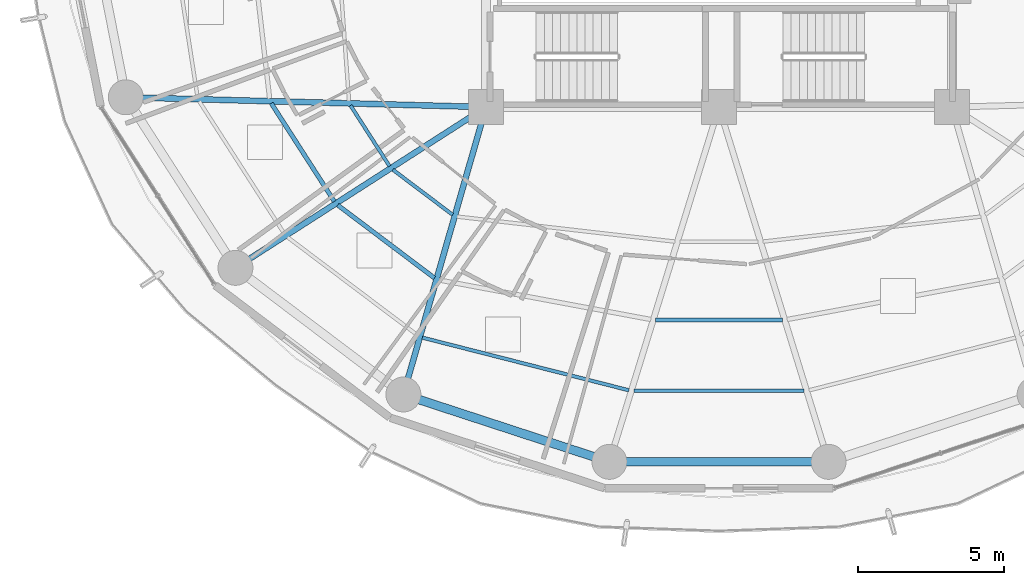
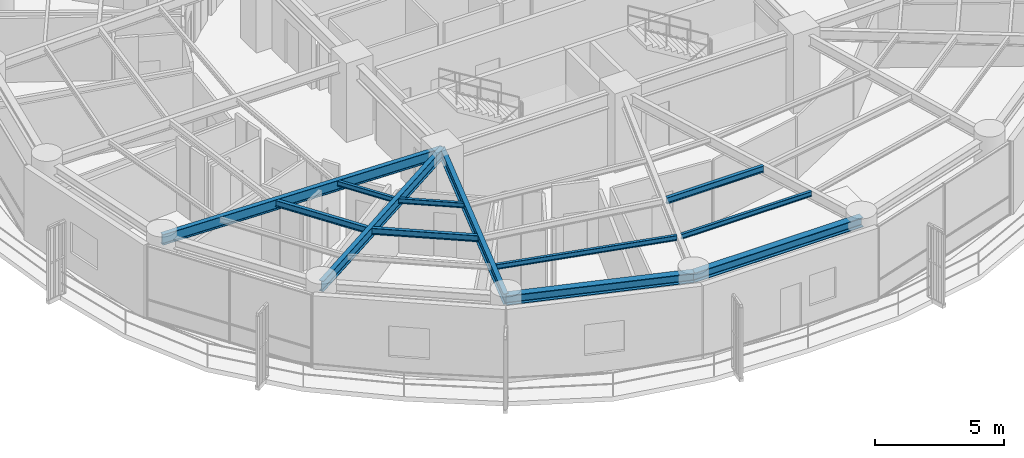
# One storey, part 3 of 29: 12 beams.
"""IFC4 building model written with IfcOpenShell, lengths in metres."""

from ifc_helpers import new_model, si_unit, direction, frame, origin, origin_2d, place, context, subcontext, project, spatial, i_section, extrude, material, material_profile, profile_set, type_object, element, save


model = new_model("IFC4")

# Units and contexts
model_context = context("Model", 3, precision=1e-05, world=origin(), true_north=direction((0.0, 1.0)))
body_context = subcontext(model_context, "Body", "Model", "MODEL_VIEW")
ifc_project = project(units=[si_unit("LENGTHUNIT", "METRE"), si_unit("AREAUNIT", "SQUARE_METRE"), si_unit("VOLUMEUNIT", "CUBIC_METRE"), si_unit("PLANEANGLEUNIT", "RADIAN"), si_unit("MASSUNIT", "GRAM", prefix="KILO")], contexts=[model_context])

# Site, building, storey
site_placement = place(None, origin())
site = spatial("IfcSite", under=ifc_project, at=site_placement, CompositionType="ELEMENT")
building_placement = place(site_placement, origin())
building = spatial("IfcBuilding", under=site, at=building_placement, Name="Kelanora Arch Commons", CompositionType="ELEMENT")
storey_placement = place(building_placement, frame((0.0, 0.0, 135.60009765625)))
storey = spatial("IfcBuildingStorey", under=building, at=storey_placement, Name="L34", CompositionType="ELEMENT", Elevation=135.60009765625)

# Beams
ifc_material = material(Name="Steel S355", Category="steel")
ifc_material_profile_1 = material_profile(ifc_material, i_section(OverallWidth=0.14990234375, OverallDepth=0.300048828125, WebThickness=0.007080078125, FlangeThickness=0.0107421875, FilletRadius=0.014892578125, at=origin_2d()), Name="IPE300")
ifc_profile_set_1 = profile_set([ifc_material_profile_1], Name="Steel S355")
beam_type_1 = type_object("IfcBeamType", Name="BM-JST-01", PredefinedType="JOIST", material=ifc_profile_set_1)
beam_1_placement = place(storey_placement, frame((58.622314453125, 51.130859375, 3.33984375), z_axis=(0.540594434398, -0.841283339606, 0.0), x_axis=(0.841283339606, 0.540594434398, 0.0)))
element("IfcBeam", 1, at=beam_1_placement, inside=storey, type_object=beam_type_1, Name="Secondary Chord Joist BJB-20 L34", PredefinedType="JOIST", context=body_context, shape_type="SweptSolid", body=[
    extrude(i_section(OverallWidth=0.14990234375, OverallDepth=0.300048828125, WebThickness=0.007080078125, FlangeThickness=0.0107421875, FilletRadius=0.014892578125, at=origin_2d()), origin(), (0.0, 0.0, 1.0), 4.008544921875),
])
beam_2_placement = place(storey_placement, frame((60.9033203125, 47.635986328125, 3.33984375), z_axis=(0.798463547891, -0.602043156833, 0.0), x_axis=(0.602043156833, 0.798463547891, 0.0)))
element("IfcBeam", 2, at=beam_2_placement, inside=storey, type_object=beam_type_1, Name="Secondary Chord Joist BJB-22 L34", PredefinedType="JOIST", context=body_context, shape_type="SweptSolid", body=[
    extrude(i_section(OverallWidth=0.14990234375, OverallDepth=0.300048828125, WebThickness=0.007080078125, FlangeThickness=0.0107421875, FilletRadius=0.014892578125, at=origin_2d()), origin(), (0.0, 0.0, 1.0), 4.163818359375),
])
beam_3_placement = place(storey_placement, frame((71.826171875, 43.689453125, 3.33984375), z_axis=(1.0, 0.0, 0.0), x_axis=(0.0, 1.0, 0.0)))
element("IfcBeam", 3, at=beam_3_placement, inside=storey, type_object=beam_type_1, Name="Secondary Chord Joist BJB-26 L34", PredefinedType="JOIST", context=body_context, shape_type="SweptSolid", body=[
    extrude(i_section(OverallWidth=0.14990234375, OverallDepth=0.300048828125, WebThickness=0.007080078125, FlangeThickness=0.0107421875, FilletRadius=0.014892578125, at=origin_2d()), origin(), (0.0, 0.0, 1.0), 4.34765625),
])
ifc_material_profile_2 = material_profile(ifc_material, i_section(OverallWidth=0.1201171875, OverallDepth=0.239990234375, WebThickness=0.006103515625, FlangeThickness=0.009765625, FilletRadius=0.014892578125, at=origin_2d()), Name="IPE240")
ifc_profile_set_2 = profile_set([ifc_material_profile_2], Name="Steel S355")
beam_type_2 = type_object("IfcBeamType", Name="BM-JST-02", PredefinedType="JOIST", material=ifc_profile_set_2)
beam_4_placement = place(storey_placement, frame((61.344482421875, 51.056640625, 3.369873046875), z_axis=(0.540583174025, -0.841290575224, 0.0), x_axis=(0.841290575224, 0.540583174025, 0.0)))
element("IfcBeam", 4, at=beam_4_placement, inside=storey, type_object=beam_type_2, Name="Secondary Chord Joist BJA-20 L34", PredefinedType="JOIST", context=body_context, shape_type="SweptSolid", body=[
    extrude(i_section(OverallWidth=0.1201171875, OverallDepth=0.239990234375, WebThickness=0.006103515625, FlangeThickness=0.009765625, FilletRadius=0.014892578125, at=origin_2d()), origin(), (0.0, 0.0, 1.0), 2.476318359375),
])
beam_5_placement = place(storey_placement, frame((62.796875, 48.8505859375, 3.369873046875), z_axis=(0.798484118859, -0.602015873487, 0.0), x_axis=(0.602015873487, 0.798484118859, 0.0)))
element("IfcBeam", 5, at=beam_5_placement, inside=storey, type_object=beam_type_2, Name="Secondary Chord Joist BJA-22 L34", PredefinedType="JOIST", context=body_context, shape_type="SweptSolid", body=[
    extrude(i_section(OverallWidth=0.1201171875, OverallDepth=0.239990234375, WebThickness=0.006103515625, FlangeThickness=0.009765625, FilletRadius=0.014892578125, at=origin_2d()), origin(), (0.0, 0.0, 1.0), 2.57470703125),
])
beam_6_placement = place(storey_placement, frame((63.810302734375, 43.082763671875, 3.369873046875), z_axis=(0.96900232943, -0.247051584815, 0.0), x_axis=(0.247051584815, 0.96900232943, 0.0)))
element("IfcBeam", 6, at=beam_6_placement, inside=storey, type_object=beam_type_2, Name="Secondary Chord Joist BJC-24 L34", PredefinedType="JOIST", context=body_context, shape_type="SweptSolid", body=[
    extrude(i_section(OverallWidth=0.1201171875, OverallDepth=0.239990234375, WebThickness=0.006103515625, FlangeThickness=0.009765625, FilletRadius=0.014892578125, at=origin_2d()), origin(), (0.0, 0.0, 1.0), 7.32275390625),
])
beam_7_placement = place(storey_placement, frame((71.0732421875, 41.252685546875, 3.369873046875), z_axis=(1.0, 0.0, 0.0), x_axis=(0.0, 1.0, 0.0)))
element("IfcBeam", 7, at=beam_7_placement, inside=storey, type_object=beam_type_2, Name="Secondary Chord Joist BJC-26 L34", PredefinedType="JOIST", context=body_context, shape_type="SweptSolid", body=[
    extrude(i_section(OverallWidth=0.1201171875, OverallDepth=0.239990234375, WebThickness=0.006103515625, FlangeThickness=0.009765625, FilletRadius=0.014892578125, at=origin_2d()), origin(), (0.0, 0.0, 1.0), 5.853515625),
])
ifc_material_profile_3 = material_profile(ifc_material, i_section(OverallWidth=0.199951171875, OverallDepth=0.5, WebThickness=0.01025390625, FlangeThickness=0.01611328125, FilletRadius=0.02099609375, at=origin_2d()), Name="IPE500")
ifc_profile_set_3 = profile_set([ifc_material_profile_3], Name="Steel S355")
beam_type_3 = type_object("IfcBeamType", Name="BM-RAD-Z3", PredefinedType="BEAM", material=ifc_profile_set_3)
beam_8_placement = place(storey_placement, frame((66.0, 51.0, 3.239990234375), z_axis=(-0.999628374924, 0.027260081577, 0.0), x_axis=(-0.027260081577, -0.999628374924, 0.0)))
element("IfcBeam", 8, at=beam_8_placement, inside=storey, type_object=beam_type_3, Name="Radial Floor Girder BR-20 L34", PredefinedType="BEAM", context=body_context, shape_type="SweptSolid", body=[
    extrude(i_section(OverallWidth=0.199951171875, OverallDepth=0.5, WebThickness=0.01025390625, FlangeThickness=0.01611328125, FilletRadius=0.02099609375, at=origin_2d()), origin(), (0.0, 0.0, 1.0), 12.377197265625),
])
beam_9_placement = place(storey_placement, frame((66.0, 51.0, 3.239990234375), z_axis=(-0.841719465748, -0.539915123868, 0.0), x_axis=(0.539915123868, -0.841719465748, 0.0)))
element("IfcBeam", 9, at=beam_9_placement, inside=storey, type_object=beam_type_3, Name="Radial Floor Girder BR-22 L34", PredefinedType="BEAM", context=body_context, shape_type="SweptSolid", body=[
    extrude(i_section(OverallWidth=0.199951171875, OverallDepth=0.5, WebThickness=0.01025390625, FlangeThickness=0.01611328125, FilletRadius=0.02099609375, at=origin_2d()), origin(), (0.0, 0.0, 1.0), 10.2265625),
])
beam_10_placement = place(storey_placement, frame((66.0, 51.0, 3.239990234375), z_axis=(-0.276525880065, -0.961006471182, 0.0), x_axis=(0.961006471182, -0.276525880065, 0.0)))
element("IfcBeam", 10, at=beam_10_placement, inside=storey, type_object=beam_type_3, Name="Radial Floor Girder BR-24 L34", PredefinedType="BEAM", context=body_context, shape_type="SweptSolid", body=[
    extrude(i_section(OverallWidth=0.199951171875, OverallDepth=0.5, WebThickness=0.01025390625, FlangeThickness=0.01611328125, FilletRadius=0.02099609375, at=origin_2d()), origin(), (0.0, 0.0, 1.0), 10.2705078125),
])
ifc_material_profile_4 = material_profile(ifc_material, i_section(OverallWidth=0.300048828125, OverallDepth=0.449951171875, WebThickness=0.013916015625, FlangeThickness=0.02587890625, FilletRadius=0.027099609375, at=origin_2d()), Name="HEB450")
ifc_profile_set_4 = profile_set([ifc_material_profile_4], Name="Steel S355")
beam_type_4 = type_object("IfcBeamType", Name="BM-SPN-Z3", PredefinedType="SPANDREL", material=ifc_profile_set_4)
beam_11_placement = place(storey_placement, frame((63.159912109375, 41.1298828125, 3.264892578125), z_axis=(0.950461975786, -0.310840847676, 0.0), x_axis=(0.310840847676, 0.950461975786, 0.0)))
element("IfcBeam", 11, at=beam_11_placement, inside=storey, type_object=beam_type_4, Name="Perimeter Spandrel Beam BS-24 L34", PredefinedType="SPANDREL", context=body_context, shape_type="SweptSolid", body=[
    extrude(i_section(OverallWidth=0.300048828125, OverallDepth=0.449951171875, WebThickness=0.013916015625, FlangeThickness=0.02587890625, FilletRadius=0.027099609375, at=origin_2d()), origin(), (0.0, 0.0, 1.0), 7.444091796875),
])
beam_12_placement = place(storey_placement, frame((70.2353515625, 38.81591796875, 3.264892578125), z_axis=(1.0, 0.0, 0.0), x_axis=(0.0, 1.0, 0.0)))
element("IfcBeam", 12, at=beam_12_placement, inside=storey, type_object=beam_type_4, Name="Perimeter Spandrel Beam BS-26 L34", PredefinedType="SPANDREL", context=body_context, shape_type="SweptSolid", body=[
    extrude(i_section(OverallWidth=0.300048828125, OverallDepth=0.449951171875, WebThickness=0.013916015625, FlangeThickness=0.02587890625, FilletRadius=0.027099609375, at=origin_2d()), origin(), (0.0, 0.0, 1.0), 7.529296875),
])

save(model, "model.ifc")
